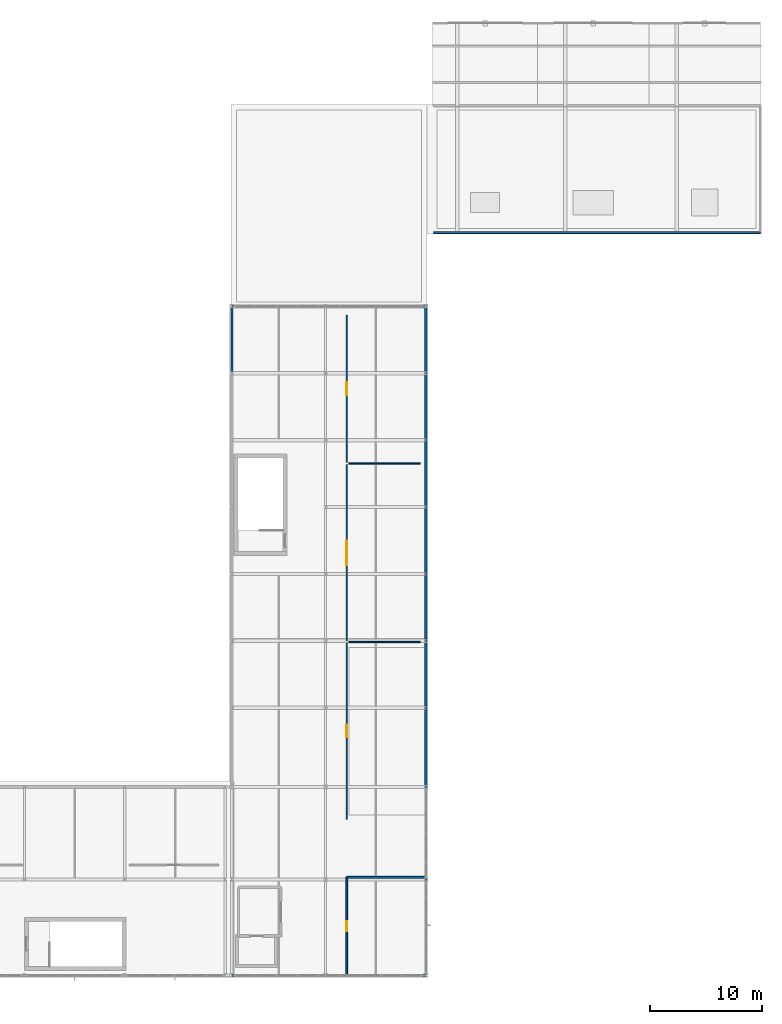
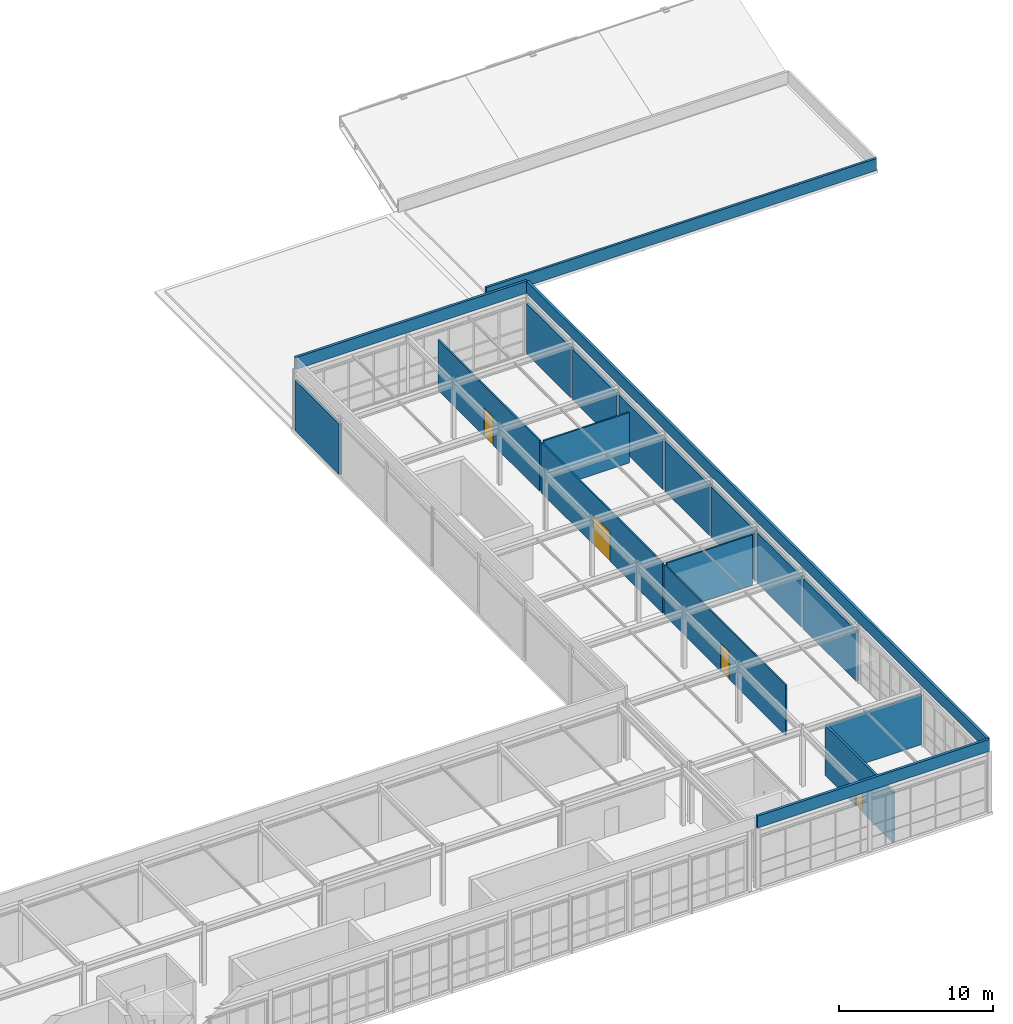
# One storey, part 34 of 38: 19 walls, 4 doors, 4 openings.
"""IFC4 building model written with IfcOpenShell, lengths in metres."""

from ifc_helpers import new_model, si_unit, direction, frame, frame_2d, origin, place, context, subcontext, project, spatial, rectangle, extrude, material, layer, layer_set, type_object, element, fill, save


model = new_model("IFC4")

# Units and contexts
model_context = context("Model", 3, precision=1e-05, world=origin(), true_north=direction((0.0, 1.0)))
body_context = subcontext(model_context, "Body", "Model", "MODEL_VIEW")
ifc_project = project(units=[si_unit("LENGTHUNIT", "METRE"), si_unit("AREAUNIT", "SQUARE_METRE"), si_unit("VOLUMEUNIT", "CUBIC_METRE"), si_unit("PLANEANGLEUNIT", "RADIAN"), si_unit("MASSUNIT", "GRAM", prefix="KILO")], contexts=[model_context])

# Site, building, storey
site_placement = place(None, origin())
site = spatial("IfcSite", under=ifc_project, at=site_placement, CompositionType="ELEMENT")
building_placement = place(site_placement, origin())
building = spatial("IfcBuilding", under=site, at=building_placement, Name="Kaldris Quays Convention Centre", CompositionType="ELEMENT")
storey_placement = place(building_placement, frame((0.0, 0.0, 21.60009765625)))
storey = spatial("IfcBuildingStorey", under=building, at=storey_placement, Name="L04", CompositionType="ELEMENT", Elevation=21.60009765625)

# Walls
ifc_material_1 = material(Name="Anodized aluminium insulated cassette", Category="aluminium")
ifc_layer_1 = layer(ifc_material_1, 0.221923828125)
ifc_layer_set_1 = layer_set([ifc_layer_1], Name="Anodized aluminium insulated cassette")
wall_type_1 = type_object("IfcWallType", Name="EXTERIOR WALL EW06", PredefinedType="STANDARD", material=ifc_layer_set_1)
wall_1_placement = place(storey_placement, frame((164.0, 55.0458984375, 0.0), z_axis=(0.0, 0.0, 1.0), x_axis=(0.0, 1.0, 0.0)))
element("IfcWall", 1, at=wall_1_placement, inside=storey, type_object=wall_type_1, Name="L04 Exterior Wall EW06 345", PredefinedType="STANDARD", context=body_context, shape_type="SweptSolid", body=[
    extrude(rectangle(XDim=6.80810546875, YDim=0.221923828125, at=frame_2d((3.404052734375, 0.0))), origin(), (0.0, 0.0, 1.0), 4.0),
])
wall_2_placement = place(storey_placement, frame((164.0, 62.14599609375, 0.0), z_axis=(0.0, 0.0, 1.0), x_axis=(0.0, 1.0, 0.0)))
element("IfcWall", 2, at=wall_2_placement, inside=storey, type_object=wall_type_1, Name="L04 Exterior Wall EW06 347", PredefinedType="STANDARD", context=body_context, shape_type="SweptSolid", body=[
    extrude(rectangle(XDim=5.7080078125, YDim=0.221923828125, at=frame_2d((2.85400390625, 0.0))), origin(), (0.0, 0.0, 1.0), 4.0),
])
wall_3_placement = place(storey_placement, frame((164.0, 68.14599609375, 0.0), z_axis=(0.0, 0.0, 1.0), x_axis=(0.0, 1.0, 0.0)))
element("IfcWall", 3, at=wall_3_placement, inside=storey, type_object=wall_type_1, Name="L04 Exterior Wall EW06 349", PredefinedType="STANDARD", context=body_context, shape_type="SweptSolid", body=[
    extrude(rectangle(XDim=5.738037109375, YDim=0.221923828125, at=frame_2d((2.869140625, 0.0))), origin(), (0.0, 0.0, 1.0), 4.0),
])
for number, where, z_axis, x_axis, name in (
    (4, (164.0, 74.115966796875, 0.0), (0.0, 0.0, 1.0), (0.0, 1.0, 0.0), "L04 Exterior Wall EW06 351"),
    (5, (164.0, 80.115966796875, 0.0), (0.0, 0.0, 1.0), (0.0, 1.0, 0.0), "L04 Exterior Wall EW06 353"),
    (6, (164.0, 86.115966796875, 0.0), (0.0, 0.0, 1.0), (0.0, 1.0, 0.0), "L04 Exterior Wall EW06 355"),
    (7, (164.0, 92.115966796875, 0.0), (0.0, 0.0, 1.0), (0.0, 1.0, 0.0), "L04 Exterior Wall EW06 357"),
):
    element("IfcWall", number, at=place(storey_placement, frame(where, z_axis=z_axis, x_axis=x_axis)), inside=storey, type_object=wall_type_1, Name=name, PredefinedType="STANDARD", context=body_context, shape_type="SweptSolid", body=[
        extrude(rectangle(XDim=5.76806640625, YDim=0.221923828125, at=frame_2d((2.884033203125, 0.0))), origin(), (0.0, 0.0, 1.0), 4.0),
    ])
ifc_layer_2 = layer(ifc_material_1, 0.201904296875)
ifc_layer_set_2 = layer_set([ifc_layer_2], Name="Anodized aluminium insulated cassette")
wall_type_2 = type_object("IfcWallType", Name="EXTERIOR WALL EW07", PredefinedType="STANDARD", material=ifc_layer_set_2)
wall_4_placement = place(storey_placement, frame((146.60009765625, 92.115966796875, 0.0), z_axis=(0.0, 0.0, 1.0), x_axis=(0.0, 1.0, 0.0)))
element("IfcWall", 8, at=wall_4_placement, inside=storey, type_object=wall_type_2, Name="L04 Exterior Wall EW07 358", PredefinedType="STANDARD", context=body_context, shape_type="SweptSolid", body=[
    extrude(rectangle(XDim=5.76806640625, YDim=0.201904296875, at=frame_2d((2.884033203125, 0.0))), origin(), (0.0, 0.0, 1.0), 4.0),
])
ifc_material_2 = material(Name="Concrete C35/45", Category="concrete")
ifc_layer_3 = layer(ifc_material_2, 0.19189453125)
ifc_layer_set_3 = layer_set([ifc_layer_3], Name="Concrete C35/45")
wall_type_3 = type_object("IfcWallType", Name="EXTERIOR WALL PW02", PredefinedType="PARAPET", material=ifc_layer_set_3)
wall_5_placement = place(storey_placement, frame((146.60009765625, 38.0, 4.7998046875), z_axis=(0.0, 0.0, 1.0), x_axis=(1.0, 0.0, 0.0)))
element("IfcWall", 9, at=wall_5_placement, inside=storey, type_object=wall_type_3, Name="L04 Roof Parapet PW02 4", PredefinedType="PARAPET", context=body_context, shape_type="SweptSolid", body=[
    extrude(rectangle(XDim=17.39990234375, YDim=0.19189453125, at=frame_2d((8.699951171875, 0.0))), origin(), (0.0, 0.0, 1.0), 0.9501953125),
])
wall_6_placement = place(storey_placement, frame((164.0, 38.080078125, 4.7998046875), z_axis=(0.0, 0.0, 1.0), x_axis=(0.0, 1.0, 0.0)))
element("IfcWall", 10, at=wall_6_placement, inside=storey, type_object=wall_type_3, Name="L04 Roof Parapet PW02 5", PredefinedType="PARAPET", context=body_context, shape_type="SweptSolid", body=[
    extrude(rectangle(XDim=59.83984375, YDim=0.19189453125, at=frame_2d((29.919921875, 0.0))), origin(), (0.0, 0.0, 1.0), 0.9501953125),
])
wall_7_placement = place(storey_placement, frame((146.60009765625, 98.0, 4.7998046875), z_axis=(0.0, 0.0, 1.0), x_axis=(1.0, 0.0, 0.0)))
element("IfcWall", 11, at=wall_7_placement, inside=storey, type_object=wall_type_3, Name="L04 Roof Parapet PW02 6", PredefinedType="PARAPET", context=body_context, shape_type="SweptSolid", body=[
    extrude(rectangle(XDim=17.39990234375, YDim=0.19189453125, at=frame_2d((8.699951171875, 0.0))), origin(), (0.0, 0.0, 1.0), 0.9501953125),
])
ifc_material_3 = material(Name="Precast concrete C40/50", Category="concrete")
ifc_layer_4 = layer(ifc_material_3, 0.172119140625)
ifc_layer_set_4 = layer_set([ifc_layer_4], Name="Precast concrete C40/50")
wall_type_4 = type_object("IfcWallType", Name="EXTERIOR WALL PW03", PredefinedType="PARAPET", material=ifc_layer_set_4)
wall_8_placement = place(storey_placement, frame((164.699951171875, 104.60009765625, 0.0), z_axis=(0.0, 0.0, 1.0), x_axis=(1.0, 0.0, 0.0)))
element("IfcWall", 12, at=wall_8_placement, inside=storey, type_object=wall_type_4, Name="L04 Roof Parapet PW03 8", PredefinedType="PARAPET", context=body_context, shape_type="SweptSolid", body=[
    extrude(rectangle(XDim=29.300048828125, YDim=0.172119140625, at=frame_2d((14.64990234375, 0.0))), origin(), (0.0, 0.0, 1.0), 0.949951171875),
])

# Wall, opening, door
ifc_material_4 = material(Name="Acoustic gypsum stud partition", Category="gypsum")
ifc_layer_5 = layer(ifc_material_4, 0.177978515625)
ifc_layer_set_5 = layer_set([ifc_layer_5], Name="Acoustic gypsum stud partition")
wall_type_5 = type_object("IfcWallType", Name="INTERIOR WALL IW02", PredefinedType="PARTITIONING", material=ifc_layer_set_5)
wall_9_placement = place(storey_placement, frame((156.89990234375, 38.0, 0.0), z_axis=(0.0, 0.0, 1.0), x_axis=(0.0, 1.0, 0.0)))
wall_9 = element("IfcWall", 13, at=wall_9_placement, inside=storey, type_object=wall_type_5, Name="L04 Interior Wall IW02 121", PredefinedType="PARTITIONING", context=body_context, shape_type="SweptSolid", body=[
    extrude(rectangle(XDim=8.800048828125, YDim=0.177978515625, at=frame_2d((4.39990234375, 0.0))), origin(), (0.0, 0.0, 1.0), 4.0),
])
opening_1_placement = place(wall_9_placement, frame((3.949951171875, 0.0, 0.0)))
opening_1 = element("IfcOpeningElement", 14, at=opening_1_placement, cuts=wall_9, Name="Opening ID12", PredefinedType="OPENING", context=body_context, shape_type="SweptSolid", body=[
    extrude(rectangle(XDim=0.89990234375, YDim=2.080078125, at=frame_2d((0.449951171875, 1.0400390625))), frame((0.0, 0.09912109375, 0.0), z_axis=(0.0, -1.0, 0.0), x_axis=(1.0, 0.0, 0.0)), (0.0, 0.0, 1.0), 0.197998046875),
])
ifc_material_5 = material(Name="Moisture-resistant sanitary room door", Category="wood")
door_type_1 = type_object("IfcDoorType", Name="INTERIOR DOOR ID12", OperationType="NOTDEFINED", PredefinedType="DOOR", material=ifc_material_5)
door_1_placement = place(opening_1_placement, origin())
door_1 = element("IfcDoor", 15, at=door_1_placement, inside=storey, type_object=door_type_1, Name="L04 Interior Door ID12 81", OperationType="SINGLE_SWING_RIGHT", OverallHeight=2.080078125, OverallWidth=0.89990234375, PredefinedType="DOOR", context=body_context, shape_type="SweptSolid", body=[
    extrude(rectangle(XDim=0.89990234375, YDim=2.080078125, at=frame_2d((0.449951171875, 1.0400390625))), frame((0.0, 0.02490234375, 0.0), z_axis=(0.0, -1.0, 0.0), x_axis=(1.0, 0.0, 0.0)), (0.0, 0.0, 1.0), 0.050048828125),
])
fill(opening_1, door_1)

# Wall
wall_10_placement = place(storey_placement, frame((156.89990234375, 46.800048828125, 0.0), z_axis=(0.0, 0.0, 1.0), x_axis=(1.0, 0.0, 0.0)))
element("IfcWall", 16, at=wall_10_placement, inside=storey, type_object=wall_type_5, Name="L04 Interior Wall IW02 122", PredefinedType="PARTITIONING", context=body_context, shape_type="SweptSolid", body=[
    extrude(rectangle(XDim=7.10009765625, YDim=0.177978515625, at=frame_2d((3.550048828125, 0.0))), origin(), (0.0, 0.0, 1.0), 4.0),
])

# Wall, opening, door
ifc_layer_6 = layer(ifc_material_4, 0.1201171875)
ifc_layer_set_6 = layer_set([ifc_layer_6], Name="Acoustic gypsum stud partition")
wall_type_6 = type_object("IfcWallType", Name="INTERIOR WALL IW06", PredefinedType="PARTITIONING", material=ifc_layer_set_6)
wall_11_placement = place(storey_placement, frame((156.89990234375, 84.0, 0.0), z_axis=(0.0, 0.0, 1.0), x_axis=(0.0, 1.0, 0.0)))
wall_11 = element("IfcWall", 17, at=wall_11_placement, inside=storey, type_object=wall_type_6, Name="L04 Interior Wall IW06 125", PredefinedType="PARTITIONING", context=body_context, shape_type="SweptSolid", body=[
    extrude(rectangle(XDim=13.199951171875, YDim=0.1201171875, at=frame_2d((6.60009765625, 0.0))), origin(), (0.0, 0.0, 1.0), 4.0),
])
opening_2_placement = place(wall_11_placement, frame((6.010009765625, 0.0, 0.0)))
opening_2 = element("IfcOpeningElement", 18, at=opening_2_placement, cuts=wall_11, Name="Opening ID07", PredefinedType="OPENING", context=body_context, shape_type="SweptSolid", body=[
    extrude(rectangle(XDim=1.179931640625, YDim=2.25, at=frame_2d((0.58984375, 1.125))), frame((0.0, 0.070068359375, 0.0), z_axis=(0.0, -1.0, 0.0), x_axis=(1.0, 0.0, 0.0)), (0.0, 0.0, 1.0), 0.14013671875),
])
ifc_material_6 = material(Name="Timber acoustic leaf in steel frame", Category="steel")
door_type_2 = type_object("IfcDoorType", Name="INTERIOR DOOR ID07", OperationType="NOTDEFINED", PredefinedType="DOOR", material=ifc_material_6)
door_2_placement = place(opening_2_placement, origin())
door_2 = element("IfcDoor", 19, at=door_2_placement, inside=storey, type_object=door_type_2, Name="L04 Interior Door ID07 84", OperationType="SINGLE_SWING_RIGHT", OverallHeight=2.25, OverallWidth=1.179931640625, PredefinedType="DOOR", context=body_context, shape_type="SweptSolid", body=[
    extrude(rectangle(XDim=1.179931640625, YDim=2.25, at=frame_2d((0.58984375, 1.125))), frame((0.0, 0.02490234375, 0.0), z_axis=(0.0, -1.0, 0.0), x_axis=(1.0, 0.0, 0.0)), (0.0, 0.0, 1.0), 0.050048828125),
])
fill(opening_2, door_2)

# Walls
for number, where, z_axis, x_axis, name in (
    (20, (157.10009765625, 67.89990234375, 0.0), (0.0, 0.0, 1.0), (1.0, 0.0, 0.0), "L04 Interior Wall IW06 126"),
    (21, (157.10009765625, 83.89990234375, 0.0), (0.0, 0.0, 1.0), (1.0, 0.0, 0.0), "L04 Interior Wall IW06 127"),
):
    element("IfcWall", number, at=place(storey_placement, frame(where, z_axis=z_axis, x_axis=x_axis)), inside=storey, type_object=wall_type_6, Name=name, PredefinedType="PARTITIONING", context=body_context, shape_type="SweptSolid", body=[
        extrude(rectangle(XDim=6.39990234375, YDim=0.1201171875, at=frame_2d((3.199951171875, 0.0))), origin(), (0.0, 0.0, 1.0), 4.0),
    ])

# Wall, opening, door
ifc_layer_7 = layer(ifc_material_4, 0.10595703125)
ifc_layer_set_7 = layer_set([ifc_layer_7], Name="Acoustic gypsum stud partition")
wall_type_7 = type_object("IfcWallType", Name="INTERIOR WALL IW07", PredefinedType="PARTITIONING", material=ifc_layer_set_7)
wall_12_placement = place(storey_placement, frame((156.89990234375, 52.0, 0.0), z_axis=(0.0, 0.0, 1.0), x_axis=(0.0, 1.0, 0.0)))
wall_12 = element("IfcWall", 22, at=wall_12_placement, inside=storey, type_object=wall_type_7, Name="L04 Interior Wall IW07 123", PredefinedType="PARTITIONING", context=body_context, shape_type="SweptSolid", body=[
    extrude(rectangle(XDim=15.800048828125, YDim=0.10595703125, at=frame_2d((7.89990234375, 0.0))), origin(), (0.0, 0.0, 1.0), 4.0),
])
opening_3_placement = place(wall_12_placement, frame((7.340087890625, 0.0, 0.0)))
opening_3 = element("IfcOpeningElement", 23, at=opening_3_placement, cuts=wall_12, Name="Opening ID06", PredefinedType="OPENING", context=body_context, shape_type="SweptSolid", body=[
    extrude(rectangle(XDim=1.1201171875, YDim=2.219970703125, at=frame_2d((0.56005859375, 1.10986328125))), frame((0.0, 0.06298828125, 0.0), z_axis=(0.0, -1.0, 0.0), x_axis=(1.0, 0.0, 0.0)), (0.0, 0.0, 1.0), 0.1259765625),
])
door_type_3 = type_object("IfcDoorType", Name="INTERIOR DOOR ID06", OperationType="NOTDEFINED", PredefinedType="DOOR", material=ifc_material_6)
door_3_placement = place(opening_3_placement, origin())
door_3 = element("IfcDoor", 24, at=door_3_placement, inside=storey, type_object=door_type_3, Name="L04 Interior Door ID06 82", OperationType="SINGLE_SWING_LEFT", OverallHeight=2.219970703125, OverallWidth=1.1201171875, PredefinedType="DOOR", context=body_context, shape_type="SweptSolid", body=[
    extrude(rectangle(XDim=1.1201171875, YDim=2.219970703125, at=frame_2d((0.56005859375, 1.10986328125))), frame((0.0, 0.02490234375, 0.0), z_axis=(0.0, -1.0, 0.0), x_axis=(1.0, 0.0, 0.0)), (0.0, 0.0, 1.0), 0.050048828125),
])
fill(opening_3, door_3)

wall_13_placement = place(storey_placement, frame((156.89990234375, 68.0, 0.0), z_axis=(0.0, 0.0, 1.0), x_axis=(0.0, 1.0, 0.0)))
wall_13 = element("IfcWall", 25, at=wall_13_placement, inside=storey, type_object=wall_type_7, Name="L04 Interior Wall IW07 124", PredefinedType="PARTITIONING", context=body_context, shape_type="SweptSolid", body=[
    extrude(rectangle(XDim=15.800048828125, YDim=0.10595703125, at=frame_2d((7.89990234375, 0.0))), origin(), (0.0, 0.0, 1.0), 4.0),
])
opening_4_placement = place(wall_13_placement, frame((6.800048828125, 0.0, 0.0)))
opening_4 = element("IfcOpeningElement", 26, at=opening_4_placement, cuts=wall_13, Name="Opening ID19", PredefinedType="OPENING", context=body_context, shape_type="SweptSolid", body=[
    extrude(rectangle(XDim=2.199951171875, YDim=2.340087890625, at=frame_2d((1.10009765625, 1.169921875))), frame((0.0, 0.06298828125, 0.0), z_axis=(0.0, -1.0, 0.0), x_axis=(1.0, 0.0, 0.0)), (0.0, 0.0, 1.0), 0.1259765625),
])
ifc_material_7 = material(Name="Glazed concourse double door", Category="aluminium")
door_type_4 = type_object("IfcDoorType", Name="INTERIOR DOOR ID19", OperationType="DOUBLE_DOOR_SINGLE_SWING", PredefinedType="DOOR", material=ifc_material_7)
door_4_placement = place(opening_4_placement, origin())
door_4 = element("IfcDoor", 27, at=door_4_placement, inside=storey, type_object=door_type_4, Name="L04 Interior Door ID19 83", OperationType="DOUBLE_DOOR_SINGLE_SWING", OverallHeight=2.340087890625, OverallWidth=2.199951171875, PredefinedType="DOOR", context=body_context, shape_type="SweptSolid", body=[
    extrude(rectangle(XDim=2.199951171875, YDim=2.340087890625, at=frame_2d((1.10009765625, 1.169921875))), frame((0.0, 0.02490234375, 0.0), z_axis=(0.0, -1.0, 0.0), x_axis=(1.0, 0.0, 0.0)), (0.0, 0.0, 1.0), 0.050048828125),
])
fill(opening_4, door_4)

save(model, "model.ifc")
